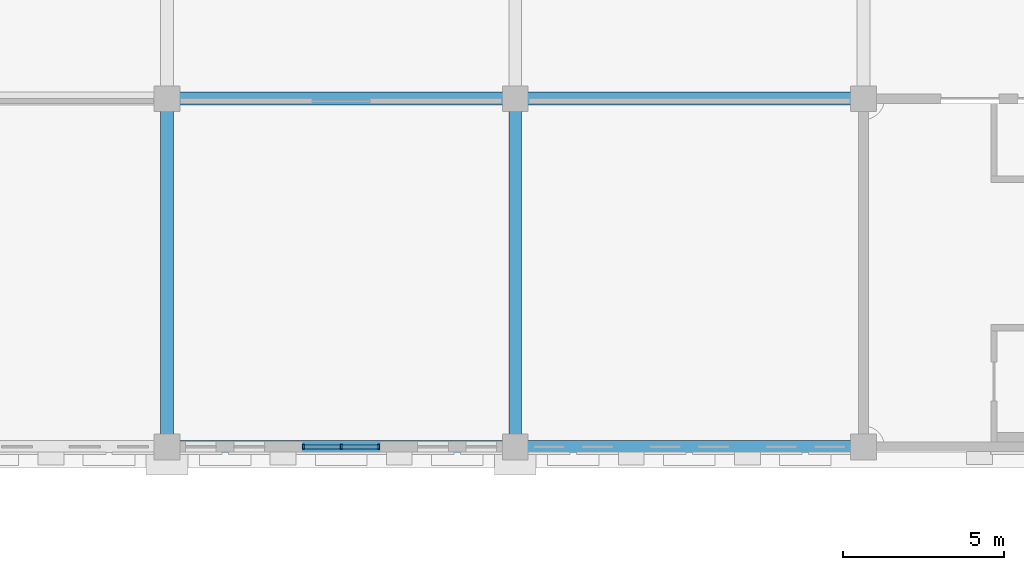
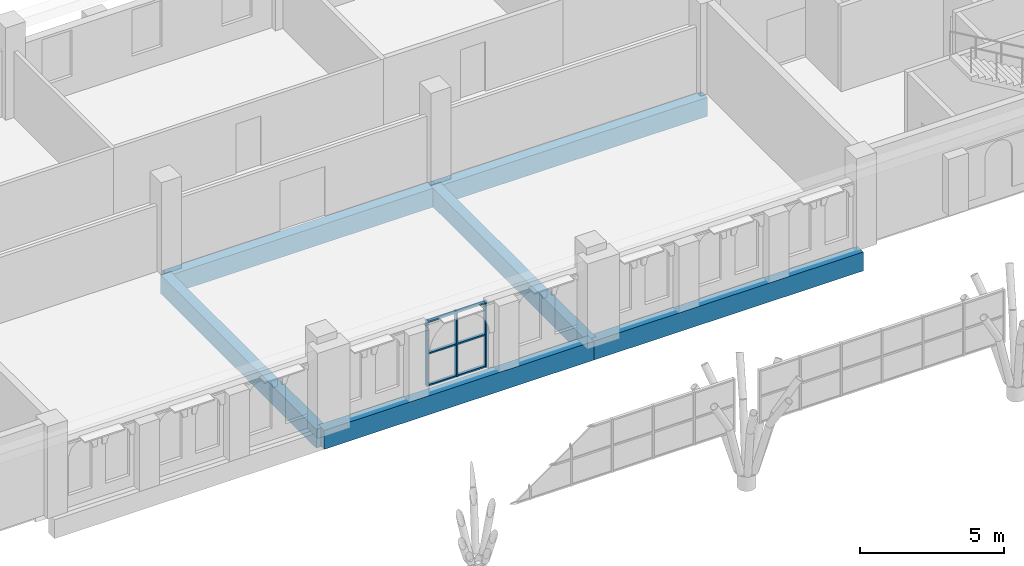
# One storey, part 11 of 42: 9 members, 6 beams, 1 element without a shape of its own.
"""IFC4 building model written with IfcOpenShell, lengths in metres."""

from ifc_helpers import new_model, si_unit, direction, frame, origin, origin_2d, place, context, subcontext, project, spatial, rectangle, extrude, material, layer, layer_set, material_profile, profile_set, type_object, element, aggregate, save


model = new_model("IFC4")

# Units and contexts
model_context = context("Model", 3, precision=1e-05, world=origin(), true_north=direction((0.0, 1.0)))
body_context = subcontext(model_context, "Body", "Model", "MODEL_VIEW")
ifc_project = project(units=[si_unit("LENGTHUNIT", "METRE"), si_unit("AREAUNIT", "SQUARE_METRE"), si_unit("VOLUMEUNIT", "CUBIC_METRE"), si_unit("PLANEANGLEUNIT", "RADIAN"), si_unit("MASSUNIT", "GRAM", prefix="KILO")], contexts=[model_context])

# Site, building, storey
site_placement = place(None, origin())
site = spatial("IfcSite", under=ifc_project, at=site_placement, CompositionType="ELEMENT")
building_placement = place(site_placement, origin())
building = spatial("IfcBuilding", under=site, at=building_placement, Name="Magnolia Steps Interchange", CompositionType="ELEMENT")
storey_placement = place(building_placement, frame((0.0, 0.0, 12.60009765625)))
storey = spatial("IfcBuildingStorey", under=building, at=storey_placement, Name="L03", CompositionType="ELEMENT", Elevation=12.60009765625)

# Curtain wall, members
ifc_material_1 = material(Name="Powder-coated aluminium and glass", Category="aluminium")
ifc_layer = layer(ifc_material_1, 0.199951171875)
ifc_layer_set = layer_set([ifc_layer], Name="Glazed central bay curtain wall")
curtain_wall_type = type_object("IfcCurtainWallType", Name="Glazed central bay curtain wall", PredefinedType="NOTDEFINED", material=ifc_layer_set)
curtain_wall_placement = place(storey_placement, origin())
curtain_wall = element("IfcCurtainWall", 1, at=curtain_wall_placement, inside=storey, type_object=curtain_wall_type, Name="Operations building south wall L03 glazing 2", PredefinedType="NOTDEFINED")
ifc_material_2 = material(Name="White powder-coated aluminium", Category="aluminium")
ifc_material_profile_1 = material_profile(ifc_material_2, rectangle(XDim=0.06005859375, YDim=0.14990234375, at=origin_2d()), Name="Aluminium mullion 60 x 150")
ifc_profile_set_1 = profile_set([ifc_material_profile_1], Name="White powder-coated aluminium")
member_type_1 = type_object("IfcMemberType", Name="Aluminium mullion 60 x 150", PredefinedType="MULLION", material=ifc_profile_set_1)
member_1_placement = place(storey_placement, frame((89.830078125, 96.39990234375, 0.0), z_axis=(0.0, 0.0, 1.0), x_axis=(1.0, 0.0, 0.0)))
member_1 = element("IfcMember", 2, at=member_1_placement, type_object=member_type_1, Name="CW2 mullion 1", PredefinedType="MULLION", context=body_context, shape_type="SweptSolid", body=[
    extrude(rectangle(XDim=0.06005859375, YDim=0.14990234375, at=origin_2d()), origin(), (0.0, 0.0, 1.0), 2.75),
])
member_2_placement = place(storey_placement, frame((91.0, 96.39990234375, 0.0), z_axis=(0.0, 0.0, 1.0), x_axis=(1.0, 0.0, 0.0)))
member_2 = element("IfcMember", 3, at=member_2_placement, type_object=member_type_1, Name="CW2 mullion 2", PredefinedType="MULLION", context=body_context, shape_type="SweptSolid", body=[
    extrude(rectangle(XDim=0.06005859375, YDim=0.14990234375, at=origin_2d()), origin(), (0.0, 0.0, 1.0), 2.75),
])
member_3_placement = place(storey_placement, frame((92.169921875, 96.39990234375, 0.0), z_axis=(0.0, 0.0, 1.0), x_axis=(1.0, 0.0, 0.0)))
member_3 = element("IfcMember", 4, at=member_3_placement, type_object=member_type_1, Name="CW2 mullion 3", PredefinedType="MULLION", context=body_context, shape_type="SweptSolid", body=[
    extrude(rectangle(XDim=0.06005859375, YDim=0.14990234375, at=origin_2d()), origin(), (0.0, 0.0, 1.0), 2.75),
])
ifc_material_3 = material(Name="White powder-coated aluminium", Category="aluminium")
ifc_material_profile_2 = material_profile(ifc_material_3, rectangle(XDim=0.06005859375, YDim=0.1201171875, at=origin_2d()), Name="Aluminium transom 60 x 120")
ifc_profile_set_2 = profile_set([ifc_material_profile_2], Name="White powder-coated aluminium")
member_type_2 = type_object("IfcMemberType", Name="Aluminium transom 60 x 120", PredefinedType="USERDEFINED", material=ifc_profile_set_2)
member_4_placement = place(storey_placement, frame((89.860107421875, 96.39990234375, 0.02978515625), z_axis=(1.0, 0.0, 0.0), x_axis=(0.0, 0.0, 1.0)))
member_4 = element("IfcMember", 5, at=member_4_placement, type_object=member_type_2, Name="CW2 transom 1.1", ObjectType="TRANSOM", PredefinedType="USERDEFINED", context=body_context, shape_type="SweptSolid", body=[
    extrude(rectangle(XDim=0.06005859375, YDim=0.1201171875, at=origin_2d()), origin(), (0.0, 0.0, 1.0), 1.10986328125),
])
member_5_placement = place(storey_placement, frame((89.860107421875, 96.39990234375, 1.375), z_axis=(1.0, 0.0, 0.0), x_axis=(0.0, 0.0, 1.0)))
member_5 = element("IfcMember", 6, at=member_5_placement, type_object=member_type_2, Name="CW2 transom 1.2", ObjectType="TRANSOM", PredefinedType="USERDEFINED", context=body_context, shape_type="SweptSolid", body=[
    extrude(rectangle(XDim=0.06005859375, YDim=0.1201171875, at=origin_2d()), origin(), (0.0, 0.0, 1.0), 1.10986328125),
])
member_6_placement = place(storey_placement, frame((89.860107421875, 96.39990234375, 2.719970703125), z_axis=(1.0, 0.0, 0.0), x_axis=(0.0, 0.0, 1.0)))
member_6 = element("IfcMember", 7, at=member_6_placement, type_object=member_type_2, Name="CW2 transom 1.3", ObjectType="TRANSOM", PredefinedType="USERDEFINED", context=body_context, shape_type="SweptSolid", body=[
    extrude(rectangle(XDim=0.06005859375, YDim=0.1201171875, at=origin_2d()), origin(), (0.0, 0.0, 1.0), 1.10986328125),
])
member_7_placement = place(storey_placement, frame((91.030029296875, 96.39990234375, 0.02978515625), z_axis=(1.0, 0.0, 0.0), x_axis=(0.0, 0.0, 1.0)))
member_7 = element("IfcMember", 8, at=member_7_placement, type_object=member_type_2, Name="CW2 transom 2.1", ObjectType="TRANSOM", PredefinedType="USERDEFINED", context=body_context, shape_type="SweptSolid", body=[
    extrude(rectangle(XDim=0.06005859375, YDim=0.1201171875, at=origin_2d()), origin(), (0.0, 0.0, 1.0), 1.10986328125),
])
member_8_placement = place(storey_placement, frame((91.030029296875, 96.39990234375, 1.375), z_axis=(1.0, 0.0, 0.0), x_axis=(0.0, 0.0, 1.0)))
member_8 = element("IfcMember", 9, at=member_8_placement, type_object=member_type_2, Name="CW2 transom 2.2", ObjectType="TRANSOM", PredefinedType="USERDEFINED", context=body_context, shape_type="SweptSolid", body=[
    extrude(rectangle(XDim=0.06005859375, YDim=0.1201171875, at=origin_2d()), origin(), (0.0, 0.0, 1.0), 1.10986328125),
])
member_9_placement = place(storey_placement, frame((91.030029296875, 96.39990234375, 2.719970703125), z_axis=(1.0, 0.0, 0.0), x_axis=(0.0, 0.0, 1.0)))
member_9 = element("IfcMember", 10, at=member_9_placement, type_object=member_type_2, Name="CW2 transom 2.3", ObjectType="TRANSOM", PredefinedType="USERDEFINED", context=body_context, shape_type="SweptSolid", body=[
    extrude(rectangle(XDim=0.06005859375, YDim=0.1201171875, at=origin_2d()), origin(), (0.0, 0.0, 1.0), 1.10986328125),
])
aggregate(curtain_wall, [member_1, member_2, member_3, member_4, member_5, member_6, member_7, member_8, member_9])

# Beams
ifc_material_4 = material(Name="Concrete C40", Category="concrete")
ifc_material_profile_3 = material_profile(ifc_material_4, rectangle(XDim=0.39990234375, YDim=0.800048828125, at=origin_2d()), Name="RC400x800")
ifc_profile_set_3 = profile_set([ifc_material_profile_3], Name="Concrete C40")
beam_type = type_object("IfcBeamType", Name="RC beam 400x800", PredefinedType="BEAM", material=ifc_profile_set_3)
beam_1_placement = place(storey_placement, frame((85.60009765625, 96.39990234375, -0.7001953125), z_axis=(1.0, 0.0, 0.0), x_axis=(0.0, 1.0, 0.0)))
element("IfcBeam", 11, at=beam_1_placement, inside=storey, type_object=beam_type, Name="Beam L03 I 8-9", PredefinedType="BEAM", context=body_context, shape_type="SweptSolid", body=[
    extrude(rectangle(XDim=0.39990234375, YDim=0.800048828125, at=origin_2d()), origin(), (0.0, 0.0, 1.0), 10.7998046875),
])
beam_2_placement = place(storey_placement, frame((96.39990234375, 96.39990234375, -0.7001953125), z_axis=(1.0, 0.0, 0.0), x_axis=(0.0, 1.0, 0.0)))
element("IfcBeam", 12, at=beam_2_placement, inside=storey, type_object=beam_type, Name="Beam L03 I 9-10", PredefinedType="BEAM", context=body_context, shape_type="SweptSolid", body=[
    extrude(rectangle(XDim=0.39990234375, YDim=0.800048828125, at=origin_2d()), origin(), (0.0, 0.0, 1.0), 10.800048828125),
])
beam_3_placement = place(storey_placement, frame((85.60009765625, 107.199951171875, -0.7001953125), z_axis=(1.0, 0.0, 0.0), x_axis=(0.0, 1.0, 0.0)))
element("IfcBeam", 13, at=beam_3_placement, inside=storey, type_object=beam_type, Name="Beam L03 J 8-9", PredefinedType="BEAM", context=body_context, shape_type="SweptSolid", body=[
    extrude(rectangle(XDim=0.39990234375, YDim=0.800048828125, at=origin_2d()), origin(), (0.0, 0.0, 1.0), 10.7998046875),
])
for number, where, z_axis, x_axis, name in (
    (14, (96.39990234375, 107.199951171875, -0.7001953125), (1.0, 0.0, 0.0), (0.0, 1.0, 0.0), "Beam L03 J 9-10"),
    (15, (85.60009765625, 96.39990234375, -0.7001953125), (0.0, 1.0, 0.0), (-1.0, 0.0, 0.0), "Beam L03 8 I-J"),
    (16, (96.39990234375, 96.39990234375, -0.7001953125), (0.0, 1.0, 0.0), (-1.0, 0.0, 0.0), "Beam L03 9 I-J"),
):
    element("IfcBeam", number, at=place(storey_placement, frame(where, z_axis=z_axis, x_axis=x_axis)), inside=storey, type_object=beam_type, Name=name, PredefinedType="BEAM", context=body_context, shape_type="SweptSolid", body=[
        extrude(rectangle(XDim=0.39990234375, YDim=0.800048828125, at=origin_2d()), origin(), (0.0, 0.0, 1.0), 10.800048828125),
    ])

save(model, "model.ifc")
